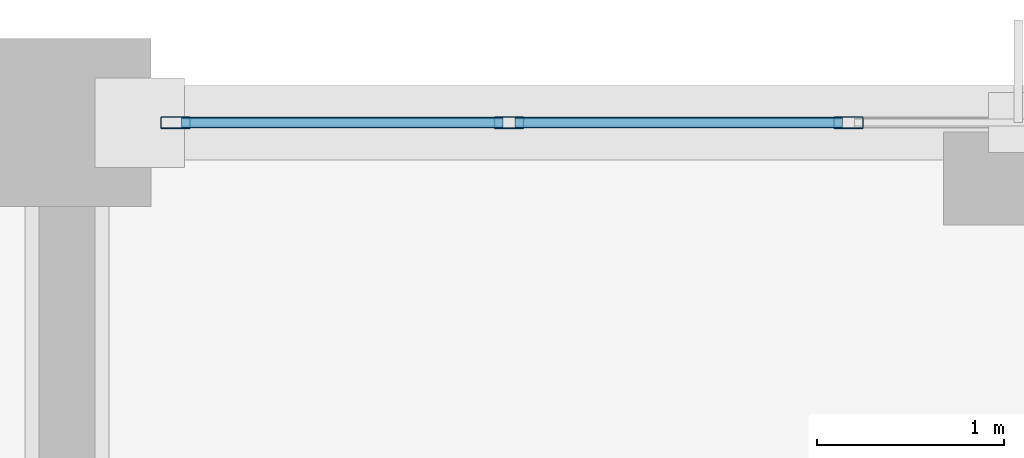
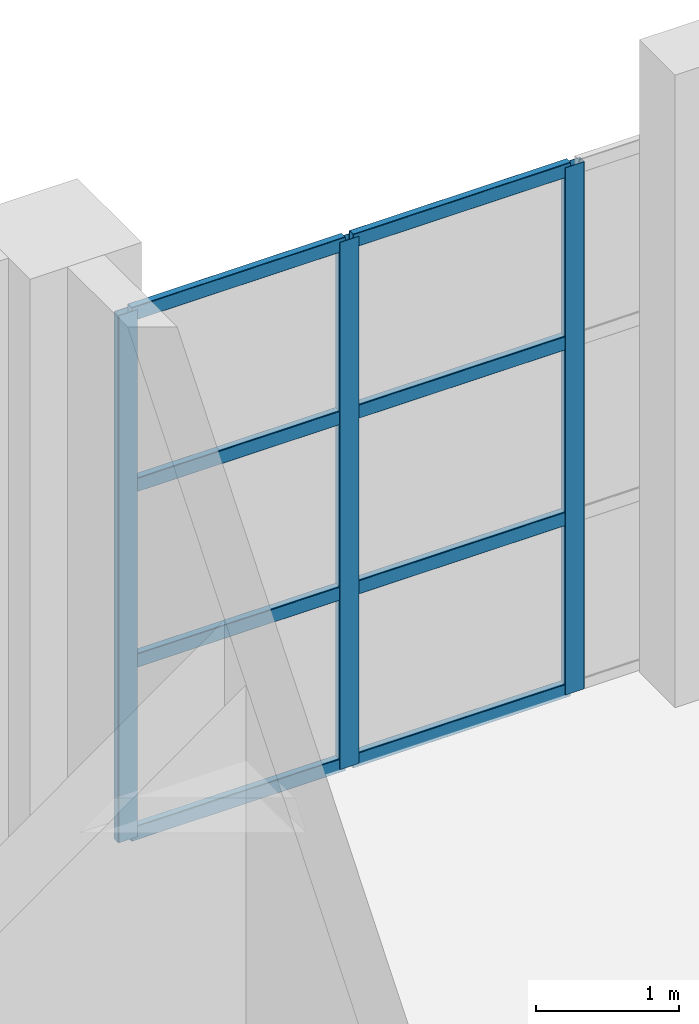
# One storey, part 84 of 175: 11 members, 1 element without a shape of its own.
"""IFC4 building model written with IfcOpenShell, lengths in metres."""

from ifc_helpers import new_model, si_unit, direction, frame, origin, origin_2d, place, context, subcontext, project, spatial, hollow_rectangle, extrude, material, material_profile, profile_set, type_object, element, aggregate, save


model = new_model("IFC4")

# Units and contexts
model_context = context("Model", 3, precision=1e-05, world=origin(), true_north=direction((0.0, 1.0)))
body_context = subcontext(model_context, "Body", "Model", "MODEL_VIEW")
ifc_project = project(units=[si_unit("LENGTHUNIT", "METRE"), si_unit("AREAUNIT", "SQUARE_METRE"), si_unit("VOLUMEUNIT", "CUBIC_METRE"), si_unit("PLANEANGLEUNIT", "RADIAN"), si_unit("MASSUNIT", "GRAM", prefix="KILO")], contexts=[model_context])

# Site, building, storey
site_placement = place(None, origin())
site = spatial("IfcSite", under=ifc_project, at=site_placement, CompositionType="ELEMENT")
building_placement = place(site_placement, origin())
building = spatial("IfcBuilding", under=site, at=building_placement, Name="Brelvane Convention Centre", CompositionType="ELEMENT")
storey_placement = place(building_placement, frame((0.0, 0.0, 5.39990234375)))
storey = spatial("IfcBuildingStorey", under=building, at=storey_placement, Name="L01", CompositionType="ELEMENT", Elevation=5.39990234375)

# Curtain wall, members
ifc_material_1 = material(Name="Anodised Aluminium Alloy 6063-T6", Category="aluminium")
curtain_wall_type = type_object("IfcCurtainWallType", Name="Curtain Wall CW-BOUL", PredefinedType="USERDEFINED", material=ifc_material_1)
curtain_wall_placement = place(storey_placement, origin())
curtain_wall = element("IfcCurtainWall", 1, at=curtain_wall_placement, inside=storey, type_object=curtain_wall_type, Name="Curtain Wall CW-BOUL L01-V4N-02", ObjectType="UNITISED", PredefinedType="USERDEFINED")
ifc_material_2 = material(Name="Anodised Aluminium Alloy 6063-T6", Category="aluminium")
ifc_material_profile_1 = material_profile(ifc_material_2, hollow_rectangle(XDim=0.06494140625, YDim=0.159912109375, WallThickness=0.00390625, InnerFilletRadius=0.00390625, OuterFilletRadius=0.008056640625, at=origin_2d()), Name="ALU-M 160x65x4.0")
ifc_profile_set_1 = profile_set([ifc_material_profile_1], Name="Anodised Aluminium Alloy 6063-T6")
member_type_1 = type_object("IfcMemberType", Name="Curtain Mullion CW-M3", PredefinedType="MULLION", material=ifc_profile_set_1)
member_1_placement = place(storey_placement, frame((10.782470703125, 144.0, 0.0), z_axis=(0.0, 0.0, 1.0), x_axis=(0.0, 1.0, 0.0)))
member_1 = element("IfcMember", 2, at=member_1_placement, type_object=member_type_1, Name="CW-BOUL mullion 1", PredefinedType="MULLION", context=body_context, shape_type="SweptSolid", body=[
    extrude(hollow_rectangle(XDim=0.06494140625, YDim=0.159912109375, WallThickness=0.00390625, InnerFilletRadius=0.00390625, OuterFilletRadius=0.008056640625, at=origin_2d()), origin(), (0.0, 0.0, 1.0), 4.5),
])
member_2_placement = place(storey_placement, frame((12.570068359375, 144.0, 0.0), z_axis=(0.0, 0.0, 1.0), x_axis=(0.0, 1.0, 0.0)))
member_2 = element("IfcMember", 3, at=member_2_placement, type_object=member_type_1, Name="CW-BOUL mullion 2", PredefinedType="MULLION", context=body_context, shape_type="SweptSolid", body=[
    extrude(hollow_rectangle(XDim=0.06494140625, YDim=0.159912109375, WallThickness=0.00390625, InnerFilletRadius=0.00390625, OuterFilletRadius=0.008056640625, at=origin_2d()), origin(), (0.0, 0.0, 1.0), 4.5),
])
member_3_placement = place(storey_placement, frame((14.389892578125, 144.0, 0.0), z_axis=(0.0, 0.0, 1.0), x_axis=(0.0, 1.0, 0.0)))
member_3 = element("IfcMember", 4, at=member_3_placement, type_object=member_type_1, Name="CW-BOUL mullion 3", PredefinedType="MULLION", context=body_context, shape_type="SweptSolid", body=[
    extrude(hollow_rectangle(XDim=0.06494140625, YDim=0.159912109375, WallThickness=0.00390625, InnerFilletRadius=0.00390625, OuterFilletRadius=0.008056640625, at=origin_2d()), origin(), (0.0, 0.0, 1.0), 4.5),
])
ifc_material_3 = material(Name="Anodised Aluminium Alloy 6063-T6", Category="aluminium")
ifc_material_profile_2 = material_profile(ifc_material_3, hollow_rectangle(XDim=0.06005859375, YDim=0.1201171875, WallThickness=0.00390625, InnerFilletRadius=0.00390625, OuterFilletRadius=0.008056640625, at=origin_2d()), Name="ALU-T 120x60x4.0")
ifc_profile_set_2 = profile_set([ifc_material_profile_2], Name="Anodised Aluminium Alloy 6063-T6")
member_type_2 = type_object("IfcMemberType", Name="Curtain Transom CW-T3", PredefinedType="USERDEFINED", material=ifc_profile_set_2)
member_4_placement = place(storey_placement, frame((10.81494140625, 144.0, 0.030029296875), z_axis=(1.0, 0.0, 0.0), x_axis=(0.0, 1.0, 0.0)))
member_4 = element("IfcMember", 5, at=member_4_placement, type_object=member_type_2, Name="CW-BOUL transom 1.1", ObjectType="TRANSOM", PredefinedType="USERDEFINED", context=body_context, shape_type="SweptSolid", body=[
    extrude(hollow_rectangle(XDim=0.06005859375, YDim=0.1201171875, WallThickness=0.00390625, InnerFilletRadius=0.00390625, OuterFilletRadius=0.008056640625, at=origin_2d()), origin(), (0.0, 0.0, 1.0), 1.72265625),
])
member_5_placement = place(storey_placement, frame((10.81494140625, 144.0, 1.5), z_axis=(1.0, 0.0, 0.0), x_axis=(0.0, 1.0, 0.0)))
member_5 = element("IfcMember", 6, at=member_5_placement, type_object=member_type_2, Name="CW-BOUL transom 1.2", ObjectType="TRANSOM", PredefinedType="USERDEFINED", context=body_context, shape_type="SweptSolid", body=[
    extrude(hollow_rectangle(XDim=0.06005859375, YDim=0.1201171875, WallThickness=0.00390625, InnerFilletRadius=0.00390625, OuterFilletRadius=0.008056640625, at=origin_2d()), origin(), (0.0, 0.0, 1.0), 1.72265625),
])
member_6_placement = place(storey_placement, frame((10.81494140625, 144.0, 3.0), z_axis=(1.0, 0.0, 0.0), x_axis=(0.0, 1.0, 0.0)))
member_6 = element("IfcMember", 7, at=member_6_placement, type_object=member_type_2, Name="CW-BOUL transom 1.3", ObjectType="TRANSOM", PredefinedType="USERDEFINED", context=body_context, shape_type="SweptSolid", body=[
    extrude(hollow_rectangle(XDim=0.06005859375, YDim=0.1201171875, WallThickness=0.00390625, InnerFilletRadius=0.00390625, OuterFilletRadius=0.008056640625, at=origin_2d()), origin(), (0.0, 0.0, 1.0), 1.72265625),
])
member_7_placement = place(storey_placement, frame((10.81494140625, 144.0, 4.47021484375), z_axis=(1.0, 0.0, 0.0), x_axis=(0.0, 1.0, 0.0)))
member_7 = element("IfcMember", 8, at=member_7_placement, type_object=member_type_2, Name="CW-BOUL transom 1.4", ObjectType="TRANSOM", PredefinedType="USERDEFINED", context=body_context, shape_type="SweptSolid", body=[
    extrude(hollow_rectangle(XDim=0.06005859375, YDim=0.1201171875, WallThickness=0.00390625, InnerFilletRadius=0.00390625, OuterFilletRadius=0.008056640625, at=origin_2d()), origin(), (0.0, 0.0, 1.0), 1.72265625),
])
member_8_placement = place(storey_placement, frame((12.6025390625, 144.0, 0.030029296875), z_axis=(1.0, 0.0, 0.0), x_axis=(0.0, 1.0, 0.0)))
member_8 = element("IfcMember", 9, at=member_8_placement, type_object=member_type_2, Name="CW-BOUL transom 2.1", ObjectType="TRANSOM", PredefinedType="USERDEFINED", context=body_context, shape_type="SweptSolid", body=[
    extrude(hollow_rectangle(XDim=0.06005859375, YDim=0.1201171875, WallThickness=0.00390625, InnerFilletRadius=0.00390625, OuterFilletRadius=0.008056640625, at=origin_2d()), origin(), (0.0, 0.0, 1.0), 1.7548828125),
])
member_9_placement = place(storey_placement, frame((12.6025390625, 144.0, 1.5), z_axis=(1.0, 0.0, 0.0), x_axis=(0.0, 1.0, 0.0)))
member_9 = element("IfcMember", 10, at=member_9_placement, type_object=member_type_2, Name="CW-BOUL transom 2.2", ObjectType="TRANSOM", PredefinedType="USERDEFINED", context=body_context, shape_type="SweptSolid", body=[
    extrude(hollow_rectangle(XDim=0.06005859375, YDim=0.1201171875, WallThickness=0.00390625, InnerFilletRadius=0.00390625, OuterFilletRadius=0.008056640625, at=origin_2d()), origin(), (0.0, 0.0, 1.0), 1.7548828125),
])
member_10_placement = place(storey_placement, frame((12.6025390625, 144.0, 3.0), z_axis=(1.0, 0.0, 0.0), x_axis=(0.0, 1.0, 0.0)))
member_10 = element("IfcMember", 11, at=member_10_placement, type_object=member_type_2, Name="CW-BOUL transom 2.3", ObjectType="TRANSOM", PredefinedType="USERDEFINED", context=body_context, shape_type="SweptSolid", body=[
    extrude(hollow_rectangle(XDim=0.06005859375, YDim=0.1201171875, WallThickness=0.00390625, InnerFilletRadius=0.00390625, OuterFilletRadius=0.008056640625, at=origin_2d()), origin(), (0.0, 0.0, 1.0), 1.7548828125),
])
member_11_placement = place(storey_placement, frame((12.6025390625, 144.0, 4.47021484375), z_axis=(1.0, 0.0, 0.0), x_axis=(0.0, 1.0, 0.0)))
member_11 = element("IfcMember", 12, at=member_11_placement, type_object=member_type_2, Name="CW-BOUL transom 2.4", ObjectType="TRANSOM", PredefinedType="USERDEFINED", context=body_context, shape_type="SweptSolid", body=[
    extrude(hollow_rectangle(XDim=0.06005859375, YDim=0.1201171875, WallThickness=0.00390625, InnerFilletRadius=0.00390625, OuterFilletRadius=0.008056640625, at=origin_2d()), origin(), (0.0, 0.0, 1.0), 1.7548828125),
])
aggregate(curtain_wall, [member_1, member_2, member_3, member_4, member_5, member_6, member_7, member_8, member_9, member_10, member_11])

save(model, "model.ifc")
